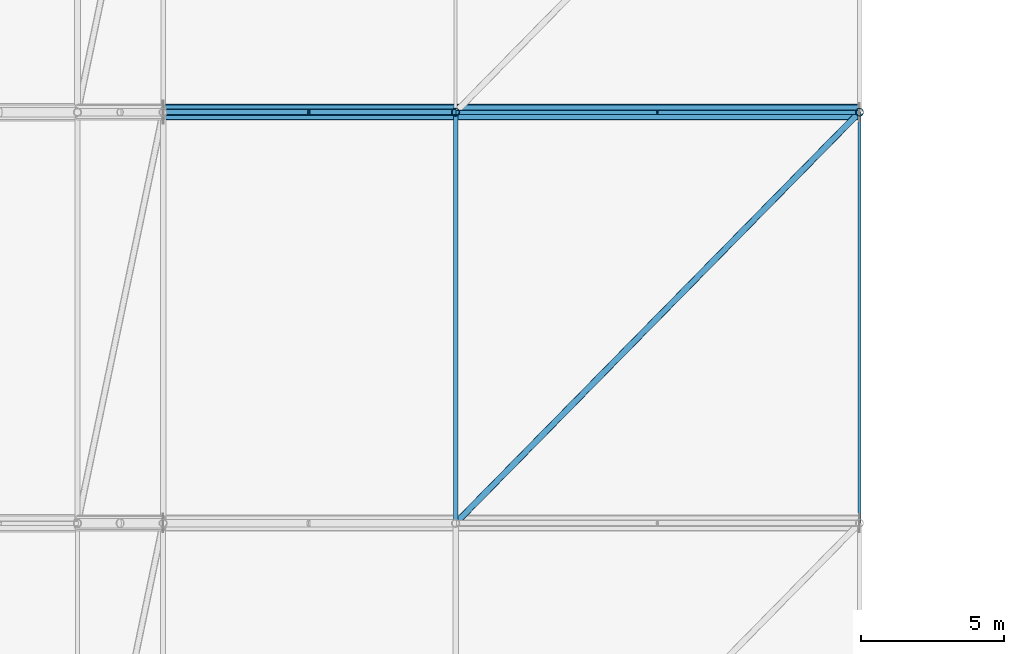
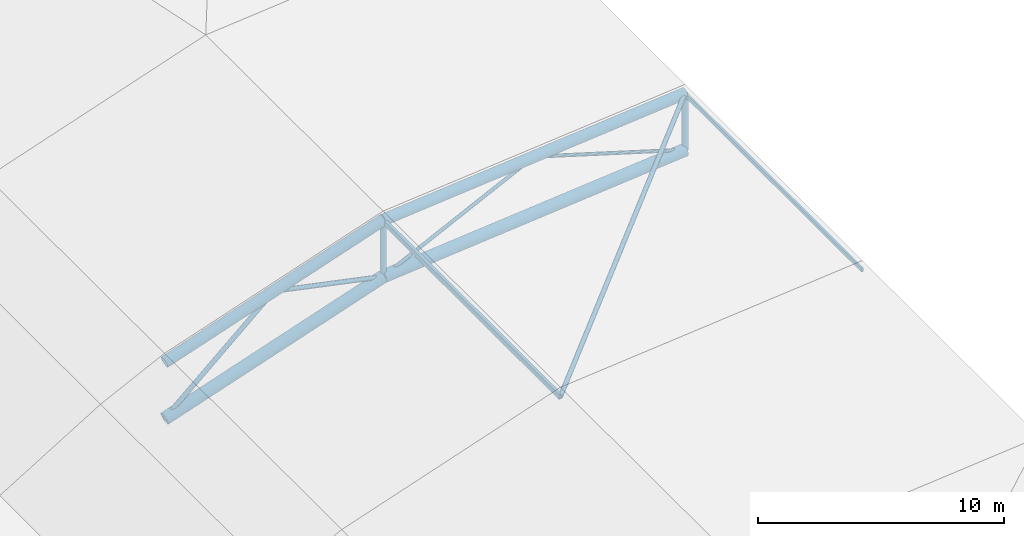
# One storey, part 9 of 36: 13 members.
"""IFC4 building model written with IfcOpenShell, lengths in metres."""

from ifc_helpers import new_model, si_unit, direction, frame, origin, origin_2d, place, context, subcontext, project, spatial, hollow_rectangle, hollow_circle, extrude, material, material_profile, profile_set, type_object, element, save


model = new_model("IFC4")

# Units and contexts
model_context = context("Model", 3, precision=1e-05, world=origin(), true_north=direction((0.0, 1.0)))
body_context = subcontext(model_context, "Body", "Model", "MODEL_VIEW")
ifc_project = project(units=[si_unit("LENGTHUNIT", "METRE"), si_unit("AREAUNIT", "SQUARE_METRE"), si_unit("VOLUMEUNIT", "CUBIC_METRE"), si_unit("PLANEANGLEUNIT", "RADIAN"), si_unit("MASSUNIT", "GRAM", prefix="KILO")], contexts=[model_context])

# Site, building, storey
site_placement = place(None, origin())
site = spatial("IfcSite", under=ifc_project, at=site_placement, CompositionType="ELEMENT")
building_placement = place(site_placement, origin())
building = spatial("IfcBuilding", under=site, at=building_placement, Name="Koshinbarg Plaza Stadium", CompositionType="ELEMENT")
storey_placement = place(building_placement, frame((0.0, 0.0, 34.199951171875)))
storey = spatial("IfcBuildingStorey", under=building, at=storey_placement, Name="RF", CompositionType="ELEMENT", Elevation=34.199951171875)

# Members
ifc_material = material(Name="Steel S355", Category="steel")
ifc_material_profile_1 = material_profile(ifc_material, hollow_circle(Radius=0.279541015625, WallThickness=0.022216796875, at=origin_2d()), Name="CHS 559x22.2")
ifc_profile_set_1 = profile_set([ifc_material_profile_1], Name="Steel S355")
member_type_1 = type_object("IfcMemberType", Name="MB-ARCH-BOT", PredefinedType="CHORD", material=ifc_profile_set_1)
member_1_placement = place(storey_placement, frame((54.60009765625, 83.10009765625, -0.0400390625), z_axis=(0.947427718422, 0.0, 0.319969871027), x_axis=(0.0, 1.0, 0.0)))
element("IfcMember", 1, at=member_1_placement, inside=storey, type_object=member_type_1, Name="Quarter-barrel roof truss bottom chord WRB-05-3", PredefinedType="CHORD", context=body_context, shape_type="SweptSolid", body=[
    extrude(hollow_circle(Radius=0.279541015625, WallThickness=0.022216796875, at=origin_2d()), origin(), (0.0, 0.0, 1.0), 10.81640625),
])
member_2_placement = place(storey_placement, frame((64.847900390625, 83.10009765625, 3.4208984375), z_axis=(0.995642851387, 0.0, 0.093248659413), x_axis=(0.0, 1.0, 0.0)))
element("IfcMember", 2, at=member_2_placement, inside=storey, type_object=member_type_1, Name="Quarter-barrel roof truss bottom chord WRB-05-4", PredefinedType="CHORD", context=body_context, shape_type="SweptSolid", body=[
    extrude(hollow_circle(Radius=0.279541015625, WallThickness=0.022216796875, at=origin_2d()), origin(), (0.0, 0.0, 1.0), 14.214111328125),
])
ifc_material_profile_2 = material_profile(ifc_material, hollow_circle(Radius=0.25390625, WallThickness=0.02001953125, at=origin_2d()), Name="CHS 508x20")
ifc_profile_set_2 = profile_set([ifc_material_profile_2], Name="Steel S355")
member_type_2 = type_object("IfcMemberType", Name="MB-ARCH-TOP", PredefinedType="CHORD", material=ifc_profile_set_2)
member_3_placement = place(storey_placement, frame((54.60009765625, 83.10009765625, 2.760009765625), z_axis=(0.947427718422, 0.0, 0.319969871027), x_axis=(0.0, 1.0, 0.0)))
element("IfcMember", 3, at=member_3_placement, inside=storey, type_object=member_type_2, Name="Quarter-barrel roof truss top chord WRB-05-3", PredefinedType="CHORD", context=body_context, shape_type="SweptSolid", body=[
    extrude(hollow_circle(Radius=0.25390625, WallThickness=0.02001953125, at=origin_2d()), origin(), (0.0, 0.0, 1.0), 10.81640625),
])
member_4_placement = place(storey_placement, frame((64.847900390625, 83.10009765625, 6.220947265625), z_axis=(0.995642851387, 0.0, 0.093248659413), x_axis=(0.0, 1.0, 0.0)))
element("IfcMember", 4, at=member_4_placement, inside=storey, type_object=member_type_2, Name="Quarter-barrel roof truss top chord WRB-05-4", PredefinedType="CHORD", context=body_context, shape_type="SweptSolid", body=[
    extrude(hollow_circle(Radius=0.25390625, WallThickness=0.02001953125, at=origin_2d()), origin(), (0.0, 0.0, 1.0), 14.214111328125),
])
ifc_material_profile_3 = material_profile(ifc_material, hollow_circle(Radius=0.136474609375, WallThickness=0.012451171875, at=origin_2d()), Name="CHS 273x12.5")
ifc_profile_set_3 = profile_set([ifc_material_profile_3], Name="Steel S355")
member_type_3 = type_object("IfcMemberType", Name="MB-BRACE-02", PredefinedType="BRACE", material=ifc_profile_set_3)
for number, where, z_axis, x_axis, name in (
    (5, (64.847900390625, 83.10009765625, 3.4208984375), (0.0, 0.0, 1.0), (1.0, 0.0, 0.0), "Quarter-barrel roof truss post WRB-05-4"),
    (6, (79.0, 83.10009765625, 4.746337890625), (0.0, 0.0, 1.0), (1.0, 0.0, 0.0), "Quarter-barrel roof truss post WRB-05-5"),
):
    element("IfcMember", number, at=place(storey_placement, frame(where, z_axis=z_axis, x_axis=x_axis)), inside=storey, type_object=member_type_3, Name=name, PredefinedType="BRACE", context=body_context, shape_type="SweptSolid", body=[
        extrude(hollow_circle(Radius=0.136474609375, WallThickness=0.012451171875, at=origin_2d()), origin(), (0.0, 0.0, 1.0), 2.800048828125),
    ])
ifc_material_profile_4 = material_profile(ifc_material, hollow_circle(Radius=0.109619140625, WallThickness=0.010009765625, at=origin_2d()), Name="CHS 219.1x10")
ifc_profile_set_4 = profile_set([ifc_material_profile_4], Name="Steel S355")
member_type_4 = type_object("IfcMemberType", Name="MB-BRACE-03", PredefinedType="BRACE", material=ifc_profile_set_4)
member_5_placement = place(storey_placement, frame((54.60009765625, 83.10009765625, -0.0400390625), z_axis=(0.749161416462, 0.0, 0.662387478811), x_axis=(0.0, 1.0, 0.0)))
element("IfcMember", 7, at=member_5_placement, inside=storey, type_object=member_type_4, Name="Quarter-barrel roof truss web diagonal WRB-05-3A", PredefinedType="BRACE", context=body_context, shape_type="SweptSolid", body=[
    extrude(hollow_circle(Radius=0.109619140625, WallThickness=0.010009765625, at=origin_2d()), origin(), (0.0, 0.0, 1.0), 6.839599609375),
])
member_6_placement = place(storey_placement, frame((59.72412109375, 83.10009765625, 4.490478515625), z_axis=(0.978899240734, 0.0, -0.20434352569), x_axis=(0.0, 1.0, 0.0)))
element("IfcMember", 8, at=member_6_placement, inside=storey, type_object=member_type_4, Name="Quarter-barrel roof truss web diagonal WRB-05-3B", PredefinedType="BRACE", context=body_context, shape_type="SweptSolid", body=[
    extrude(hollow_circle(Radius=0.109619140625, WallThickness=0.010009765625, at=origin_2d()), origin(), (0.0, 0.0, 1.0), 5.234130859375),
])
member_7_placement = place(storey_placement, frame((64.847900390625, 68.699951171875, 6.220947265625), z_axis=(0.699431846108, 0.711690937585, 0.065506503571), x_axis=(-0.713222838716, 0.700937359779, 0.0)))
element("IfcMember", 9, at=member_7_placement, inside=storey, type_object=member_type_4, Name="Roof plan wind brace west bay 4.4", PredefinedType="BRACE", context=body_context, shape_type="SweptSolid", body=[
    extrude(hollow_circle(Radius=0.109619140625, WallThickness=0.010009765625, at=origin_2d()), origin(), (0.0, 0.0, 1.0), 20.233642578125),
])
ifc_material_profile_5 = material_profile(ifc_material, hollow_circle(Radius=0.084228515625, WallThickness=0.008056640625, at=origin_2d()), Name="CHS 168.3x8")
ifc_profile_set_5 = profile_set([ifc_material_profile_5], Name="Steel S355")
member_type_5 = type_object("IfcMemberType", Name="MB-BRACE-04", PredefinedType="BRACE", material=ifc_profile_set_5)
member_8_placement = place(storey_placement, frame((64.847900390625, 83.10009765625, 3.4208984375), z_axis=(0.898224792069, 0.0, 0.439536372685), x_axis=(0.0, 1.0, 0.0)))
element("IfcMember", 10, at=member_8_placement, inside=storey, type_object=member_type_5, Name="Quarter-barrel roof truss web diagonal WRB-05-4A", PredefinedType="BRACE", context=body_context, shape_type="SweptSolid", body=[
    extrude(hollow_circle(Radius=0.084228515625, WallThickness=0.008056640625, at=origin_2d()), origin(), (0.0, 0.0, 1.0), 7.8779296875),
])
member_9_placement = place(storey_placement, frame((71.924072265625, 83.10009765625, 6.883544921875), z_axis=(0.957287355099, 0.0, -0.289138236433), x_axis=(0.0, 1.0, 0.0)))
element("IfcMember", 11, at=member_9_placement, inside=storey, type_object=member_type_5, Name="Quarter-barrel roof truss web diagonal WRB-05-4B", PredefinedType="BRACE", context=body_context, shape_type="SweptSolid", body=[
    extrude(hollow_circle(Radius=0.084228515625, WallThickness=0.008056640625, at=origin_2d()), origin(), (0.0, 0.0, 1.0), 7.3916015625),
])
ifc_material_profile_6 = material_profile(ifc_material, hollow_rectangle(XDim=0.14990234375, YDim=0.25, WallThickness=0.010009765625, at=origin_2d()), Name="RHS 250x150x10")
ifc_profile_set_6 = profile_set([ifc_material_profile_6], Name="Steel S355")
member_type_6 = type_object("IfcMemberType", Name="MB-PURL-02", PredefinedType="PURLIN", material=ifc_profile_set_6)
member_10_placement = place(storey_placement, frame((64.847900390625, 68.699951171875, 6.200927734375), z_axis=(0.0, 1.0, 0.0), x_axis=(-1.0, 0.0, 0.0)))
element("IfcMember", 12, at=member_10_placement, inside=storey, type_object=member_type_6, Name="Roof longitudinal purlin west bay 4.4", PredefinedType="PURLIN", context=body_context, shape_type="SweptSolid", body=[
    extrude(hollow_rectangle(XDim=0.14990234375, YDim=0.25, WallThickness=0.010009765625, at=origin_2d()), origin(), (0.0, 0.0, 1.0), 14.400146484375),
])
ifc_material_profile_7 = material_profile(ifc_material, hollow_rectangle(XDim=0.10009765625, YDim=0.199951171875, WallThickness=0.008056640625, at=origin_2d()), Name="RHS 200x100x8")
ifc_profile_set_7 = profile_set([ifc_material_profile_7], Name="Steel S355")
member_type_7 = type_object("IfcMemberType", Name="MB-PURL-03", PredefinedType="PURLIN", material=ifc_profile_set_7)
member_11_placement = place(storey_placement, frame((79.0, 68.699951171875, 7.5263671875), z_axis=(0.0, 1.0, 0.0), x_axis=(-1.0, 0.0, 0.0)))
element("IfcMember", 13, at=member_11_placement, inside=storey, type_object=member_type_7, Name="Roof longitudinal purlin west bay 4.5", PredefinedType="PURLIN", context=body_context, shape_type="SweptSolid", body=[
    extrude(hollow_rectangle(XDim=0.10009765625, YDim=0.199951171875, WallThickness=0.008056640625, at=origin_2d()), origin(), (0.0, 0.0, 1.0), 14.400146484375),
])

save(model, "model.ifc")
